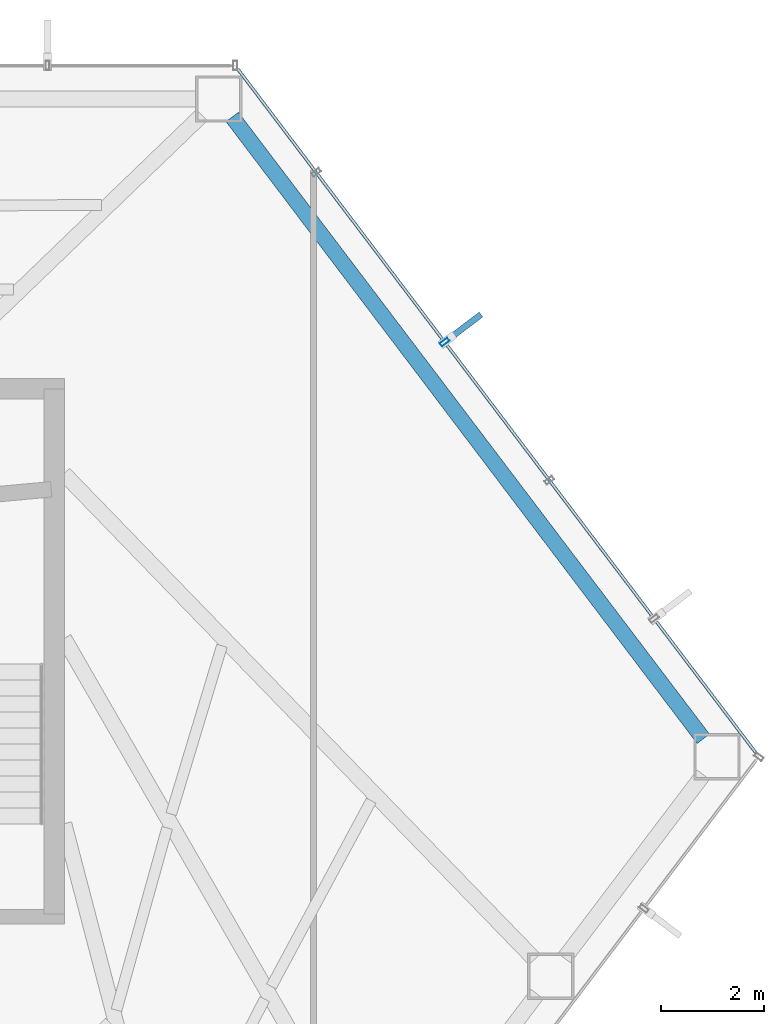
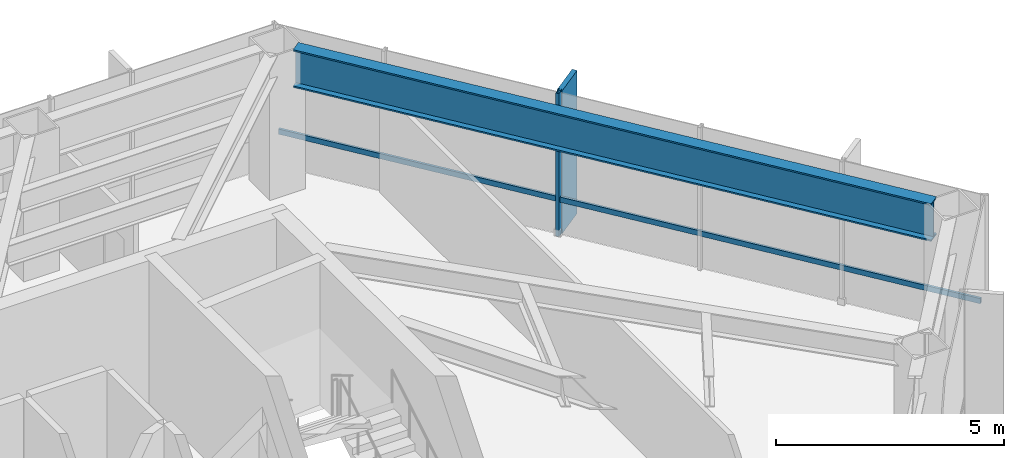
# One storey, part 19 of 24: 3 members, 1 beam, 1 element without a shape of its own.
"""IFC4 building model written with IfcOpenShell, lengths in metres."""

import ifcopenshell
import ifcopenshell.guid

model = None  # the IFC model being written
_history = None  # IfcOwnerHistory: only IFC2X3 demands one
_inside = {}  # id of a spatial element -> (the spatial element, [elements in it])
_under = {}  # id of a project, library or spatial element -> (it, [spatial elements below it])
_declared = {}  # id of a project -> (the project, [libraries it declares])
_typed = {}  # id of a type object -> (the type object, [elements of that type])
_made_of = {}  # id of a material, layer set ... -> (it, [elements and type objects made of it])


def new_model(schema):
    """Start an empty IFC model of exactly this schema.

    Asked for "IFC4X3", IfcOpenShell would pick the latest addendum, in which some entities
    have other attributes; the version numbers below select the first issue.
    IFC2X3 requires an IfcOwnerHistory on every rooted entity: one is made here for all.
    """
    global model, _history
    if schema == "IFC4X3":
        model = ifcopenshell.file(schema_version=(4, 3, 0, 0))
    else:
        model = ifcopenshell.file(schema=schema)
    _inside.clear()
    _under.clear()
    _declared.clear()
    _typed.clear()
    _made_of.clear()
    _history = None
    if model.schema == "IFC2X3":
        org = make("IfcOrganization", Name="unknown")
        user = make(
            "IfcPersonAndOrganization",
            ThePerson=make("IfcPerson", FamilyName="unknown"),
            TheOrganization=org,
        )
        app = make(
            "IfcApplication",
            ApplicationDeveloper=org,
            Version="unknown",
            ApplicationFullName="unknown",
            ApplicationIdentifier="unknown",
        )
        _history = make(
            "IfcOwnerHistory",
            OwningUser=user,
            OwningApplication=app,
            ChangeAction="ADDED",
            CreationDate=0,
        )
    return model


def make(cls, **values):
    """One entity of the class cls with the attributes given. An attribute that is None is left unset."""
    return model.create_entity(
        cls, **{name: value for name, value in values.items() if value is not None}
    )


def rooted(cls, **values):
    """An entity with a GlobalId (a new one), such as an element, a storey or a relation."""
    return make(cls, GlobalId=ifcopenshell.guid.new(), OwnerHistory=_history, **values)


def si_unit(unit_type, name, prefix=None):
    """IfcSIUnit, for example si_unit("LENGTHUNIT", "METRE", prefix="MILLI")."""
    return make("IfcSIUnit", UnitType=unit_type, Prefix=prefix, Name=name)


def assignment(units):
    """IfcUnitAssignment: the units of a project."""
    return None if units is None else make("IfcUnitAssignment", Units=units)


def point(xyz):
    """IfcCartesianPoint."""
    return None if xyz is None else make("IfcCartesianPoint", Coordinates=xyz)


def direction(xyz):
    """IfcDirection."""
    return None if xyz is None else make("IfcDirection", DirectionRatios=xyz)


def frame(location, z_axis=None, x_axis=None):
    """IfcAxis2Placement3D, a coordinate frame: its origin and axes. An axis left out is left unset."""
    return make(
        "IfcAxis2Placement3D",
        Location=point(location),
        Axis=direction(z_axis),
        RefDirection=direction(x_axis),
    )


def frame_2d(location, x_axis=None):
    """IfcAxis2Placement2D, a coordinate frame in the plane: its origin and x axis."""
    return make(
        "IfcAxis2Placement2D", Location=point(location), RefDirection=direction(x_axis)
    )


def origin():
    """The frame at (0, 0, 0) with its axes left unset."""
    return frame((0.0, 0.0, 0.0))


def origin_2d():
    """The frame at (0, 0) in the plane with its x axis left unset."""
    return frame_2d((0.0, 0.0))


def place(relative_to, where):
    """IfcLocalPlacement: puts the frame where relative to a parent placement (None: the world)."""
    return make(
        "IfcLocalPlacement", PlacementRelTo=relative_to, RelativePlacement=where
    )


def context(
    kind, dimensions, precision=None, world=None, true_north=None, identifier=None
):
    """IfcGeometricRepresentationContext, for example the 3D "Model" context."""
    return make(
        "IfcGeometricRepresentationContext",
        ContextIdentifier=identifier,
        ContextType=kind,
        CoordinateSpaceDimension=dimensions,
        Precision=precision,
        WorldCoordinateSystem=world,
        TrueNorth=true_north,
    )


def subcontext(parent, identifier, kind, view, scale=None):
    """IfcGeometricRepresentationSubContext, for example "Body" below "Model"."""
    return make(
        "IfcGeometricRepresentationSubContext",
        ContextIdentifier=identifier,
        ContextType=kind,
        ParentContext=parent,
        TargetScale=scale,
        TargetView=view,
    )


def project(units=None, contexts=None):
    """IfcProject with its units and contexts."""
    return rooted(
        "IfcProject",
        Name="project",
        RepresentationContexts=contexts,
        UnitsInContext=assignment(units),
    )


def spatial(cls, under=None, at=None, **own):
    """A site, building, storey or space (cls), placed at a placement, below another one or the project."""
    s = rooted(cls, ObjectPlacement=at, **own)
    if under is not None:
        _under.setdefault(under.id(), (under, []))[1].append(s)
    return s


def profile(cls, at=None, kind="AREA", **sizes):
    """A parametric profile (cls). Its sizes go by their IFC names, for example OverallWidth=200.0."""
    return make(cls, ProfileType=kind, Position=at, **sizes)


def rectangle(**sizes):
    """IfcRectangleProfileDef."""
    return profile("IfcRectangleProfileDef", **sizes)


def hollow_rectangle(**sizes):
    """IfcRectangleHollowProfileDef."""
    return profile("IfcRectangleHollowProfileDef", **sizes)


def i_section(**sizes):
    """IfcIShapeProfileDef."""
    return profile("IfcIShapeProfileDef", **sizes)


def extrude(swept, where, along, depth):
    """IfcExtrudedAreaSolid: the profile swept, set in the frame where, extruded along a direction by depth."""
    return make(
        "IfcExtrudedAreaSolid",
        SweptArea=swept,
        Position=where,
        ExtrudedDirection=direction(along),
        Depth=depth,
    )


def shape(context_of_items, identifier, shape_type, items):
    """IfcShapeRepresentation: the items that make up one representation, for example the "Body"."""
    return make(
        "IfcShapeRepresentation",
        ContextOfItems=context_of_items,
        RepresentationIdentifier=identifier,
        RepresentationType=shape_type,
        Items=items,
    )


def material(Name=None, Category=None):
    """IfcMaterial."""
    return make("IfcMaterial", Name=Name, Category=Category)


def layer(
    of_material, thickness, ventilated=None, Name=None, Category=None, Priority=None
):
    """IfcMaterialLayer: one layer of a wall or slab, of a material (None: an air gap)."""
    return make(
        "IfcMaterialLayer",
        Material=of_material,
        LayerThickness=thickness,
        IsVentilated=ventilated,
        Name=Name,
        Category=Category,
        Priority=Priority,
    )


def layer_set(layers, Name=None):
    """IfcMaterialLayerSet."""
    return make("IfcMaterialLayerSet", MaterialLayers=layers, LayerSetName=Name)


def material_profile(
    of_material, cross_section, Name=None, Category=None, Priority=None
):
    """IfcMaterialProfile: a cross section and its material."""
    return make(
        "IfcMaterialProfile",
        Name=Name,
        Material=of_material,
        Profile=cross_section,
        Priority=Priority,
        Category=Category,
    )


def profile_set(profiles, Name=None, composite=None):
    """IfcMaterialProfileSet."""
    return make(
        "IfcMaterialProfileSet",
        Name=Name,
        MaterialProfiles=profiles,
        CompositeProfile=composite,
    )


def made_of(thing, what):
    """Note that an element or type object is made of a material, layer set ...; save() writes the relation."""
    if what is not None:
        _made_of.setdefault(what.id(), (what, []))[1].append(thing)
    return thing


def type_object(cls, material=None, **own):
    """A type object (cls), such as IfcWallType, which elements share."""
    return made_of(rooted(cls, **own), material)


def element(
    cls,
    number,
    at=None,
    inside=None,
    cuts=None,
    type_object=None,
    material=None,
    context=None,
    identifier="Body",
    shape_type=None,
    held_by="IfcProductDefinitionShape",
    body=None,
    shapes=None,
    **own,
):
    """One element of the class cls, such as IfcWall. Its Tag is "e" and its number.

    at: its placement. inside: the storey or other place that contains it. cuts: it is an
    opening in that element (IfcRelVoidsElement). A single representation is given by context,
    identifier, shape_type and body (its items); several are given by shapes. held_by: the class
    of the entity that holds the representations. save() writes the other relations.
    """
    e = rooted(cls, Tag="e%d" % number, ObjectPlacement=at, **own)
    if body is not None:
        shapes = [shape(context, identifier, shape_type, body)]
    if shapes is not None:
        e.Representation = make(held_by, Representations=shapes)
    if inside is not None:
        _inside.setdefault(inside.id(), (inside, []))[1].append(e)
    if cuts is not None:
        rooted(
            "IfcRelVoidsElement", RelatingBuildingElement=cuts, RelatedOpeningElement=e
        )
    if type_object is not None:
        _typed.setdefault(type_object.id(), (type_object, []))[1].append(e)
    return made_of(e, material)


def aggregate(whole, parts):
    """IfcRelAggregates: a whole, such as a stair, and the parts it consists of."""
    return rooted("IfcRelAggregates", RelatingObject=whole, RelatedObjects=parts)


def save(model, path):
    """Write the relations noted so far, then the file.

    IfcRelAggregates (storeys below a building ...), IfcRelContainedInSpatialStructure (elements
    in a storey), IfcRelDefinesByType, IfcRelAssociatesMaterial and IfcRelDeclares: one each for
    every whole, place, type object, material and project.
    """
    for whole, parts in _under.values():
        aggregate(whole, parts)
    for where, things in _inside.values():
        rooted(
            "IfcRelContainedInSpatialStructure",
            RelatedElements=things,
            RelatingStructure=where,
        )
    for kind, things in _typed.values():
        rooted("IfcRelDefinesByType", RelatedObjects=things, RelatingType=kind)
    for what, things in _made_of.values():
        rooted("IfcRelAssociatesMaterial", RelatedObjects=things, RelatingMaterial=what)
    for by, libraries in _declared.values():
        rooted("IfcRelDeclares", RelatingContext=by, RelatedDefinitions=libraries)
    model.write(path)


model = new_model("IFC4")

# Units and contexts
model_context = context("Model", 3, precision=1e-05, world=origin(), true_north=direction((0.0, 1.0)))
body_context = subcontext(model_context, "Body", "Model", "MODEL_VIEW")
ifc_project = project(units=[si_unit("LENGTHUNIT", "METRE"), si_unit("AREAUNIT", "SQUARE_METRE"), si_unit("VOLUMEUNIT", "CUBIC_METRE"), si_unit("PLANEANGLEUNIT", "RADIAN"), si_unit("MASSUNIT", "GRAM", prefix="KILO")], contexts=[model_context])

# Site, building, storey
site_placement = place(None, origin())
site = spatial("IfcSite", under=ifc_project, at=site_placement, CompositionType="ELEMENT")
building_placement = place(site_placement, origin())
building = spatial("IfcBuilding", under=site, at=building_placement, Name="Zarrinselat Tower", CompositionType="ELEMENT")
storey_placement = place(building_placement, frame((0.0, 0.0, 76.5)))
storey = spatial("IfcBuildingStorey", under=building, at=storey_placement, Name="L18", CompositionType="ELEMENT", Elevation=76.5)

# Beam
ifc_material_1 = material(Name="Steel S460M", Category="steel")
ifc_material_profile_1 = material_profile(ifc_material_1, i_section(OverallWidth=0.302001953125, OverallDepth=1.008056640625, WebThickness=0.02099609375, FlangeThickness=0.0400390625, at=origin_2d()), Name="HEM 1000")
ifc_profile_set_1 = profile_set([ifc_material_profile_1], Name="Steel S460M")
beam_type = type_object("IfcBeamType", Name="BM-HEM1000", PredefinedType="BEAM", material=ifc_profile_set_1)
beam_placement = place(storey_placement, frame((51.7177734375, 48.734130859375, 3.31591796875), z_axis=(0.603842804342, -0.79710342343, 0.0), x_axis=(0.79710342343, 0.603842804342, 0.0)))
element("IfcBeam", 1, at=beam_placement, inside=storey, type_object=beam_type, Name="L18 Perimeter Spandrel Girder SP15", PredefinedType="BEAM", context=body_context, shape_type="SweptSolid", body=[
    extrude(i_section(OverallWidth=0.302001953125, OverallDepth=1.008056640625, WebThickness=0.02099609375, FlangeThickness=0.0400390625, at=origin_2d()), origin(), (0.0, 0.0, 1.0), 15.1591796875),
])

# Curtain wall, members
ifc_material_2 = material(Name="Extruded Aluminium Alloy EN AW-6063 T6", Category="aluminium")
ifc_layer = layer(ifc_material_2, 0.18505859375)
ifc_layer_set = layer_set([ifc_layer], Name="Extruded Aluminium Alloy EN AW-6063 T6")
curtain_wall_type = type_object("IfcCurtainWallType", Name="CWS-OFF", PredefinedType="NOTDEFINED", material=ifc_layer_set)
curtain_wall_placement = place(storey_placement, origin())
curtain_wall = element("IfcCurtainWall", 2, at=curtain_wall_placement, inside=storey, type_object=curtain_wall_type, Name="L18 Unitised Curtain Wall CW-L18-E06", PredefinedType="NOTDEFINED")
ifc_material_3 = material(Name="Extruded Aluminium Alloy EN AW-6063 T6", Category="aluminium")
ifc_material_profile_2 = material_profile(ifc_material_3, hollow_rectangle(XDim=0.080078125, YDim=0.179931640625, WallThickness=0.0048828125, at=origin_2d()), Name="RHS 180x80x5")
ifc_profile_set_2 = profile_set([ifc_material_profile_2], Name="Extruded Aluminium Alloy EN AW-6063 T6")
member_type_1 = type_object("IfcMemberType", Name="MEM-CW-MUL", PredefinedType="MULLION", material=ifc_profile_set_2)
member_1_placement = place(storey_placement, frame((55.846435546875, 44.360595703125, 0.0), z_axis=(0.0, 0.0, 1.0), x_axis=(-0.603856545426, 0.797093013736, 0.0)))
member_1 = element("IfcMember", 3, at=member_1_placement, type_object=member_type_1, Name="CW-L18-E06 Mullion 3", PredefinedType="MULLION", context=body_context, shape_type="SweptSolid", body=[
    extrude(hollow_rectangle(XDim=0.080078125, YDim=0.179931640625, WallThickness=0.0048828125, at=origin_2d()), origin(), (0.0, 0.0, 1.0), 3.820068359375),
])
ifc_material_4 = material(Name="Extruded Aluminium Alloy EN AW-6063 T6", Category="aluminium")
ifc_material_profile_3 = material_profile(ifc_material_4, hollow_rectangle(XDim=0.06005859375, YDim=0.139892578125, WallThickness=0.00390625, at=origin_2d()), Name="RHS 140x60x4")
ifc_profile_set_3 = profile_set([ifc_material_profile_3], Name="Extruded Aluminium Alloy EN AW-6063 T6")
member_type_2 = type_object("IfcMemberType", Name="MEM-CW-TRN", PredefinedType="USERDEFINED", material=ifc_profile_set_3)
member_2_placement = place(storey_placement, frame((61.8974609375, 36.373291015625, 0.949951171875), z_axis=(-0.603856842127, 0.797092788963, 0.0), x_axis=(-0.797092788963, -0.603856842127, 0.0)))
member_2 = element("IfcMember", 4, at=member_2_placement, type_object=member_type_2, Name="CW-L18-E06 Transom 1", ObjectType="TRANSOM", PredefinedType="USERDEFINED", context=body_context, shape_type="SweptSolid", body=[
    extrude(hollow_rectangle(XDim=0.06005859375, YDim=0.139892578125, WallThickness=0.00390625, at=origin_2d()), origin(), (0.0, 0.0, 1.0), 16.6708984375),
])
ifc_material_5 = material(Name="Honed Cream Travertine Stone", Category="masonry")
ifc_material_profile_4 = material_profile(ifc_material_5, rectangle(XDim=0.1201171875, YDim=0.85009765625, at=origin_2d()), Name="FIN 850x120")
ifc_profile_set_4 = profile_set([ifc_material_profile_4], Name="Honed Cream Travertine Stone")
member_type_3 = type_object("IfcMemberType", Name="MEM-STONE-FIN", PredefinedType="USERDEFINED", material=ifc_profile_set_4)
member_3_placement = place(storey_placement, frame((56.213134765625, 44.638427734375, 0.0), z_axis=(0.0, 0.0, 1.0), x_axis=(0.603856545426, -0.797093013736, 0.0)))
member_3 = element("IfcMember", 5, at=member_3_placement, type_object=member_type_3, Name="L18 Stone Shading Fin CW-L18-E06-03", ObjectType="FIN", PredefinedType="USERDEFINED", context=body_context, shape_type="SweptSolid", body=[
    extrude(rectangle(XDim=0.1201171875, YDim=0.85009765625, at=origin_2d()), origin(), (0.0, 0.0, 1.0), 3.820068359375),
])
aggregate(curtain_wall, [member_1, member_3, member_2])

save(model, "model.ifc")
